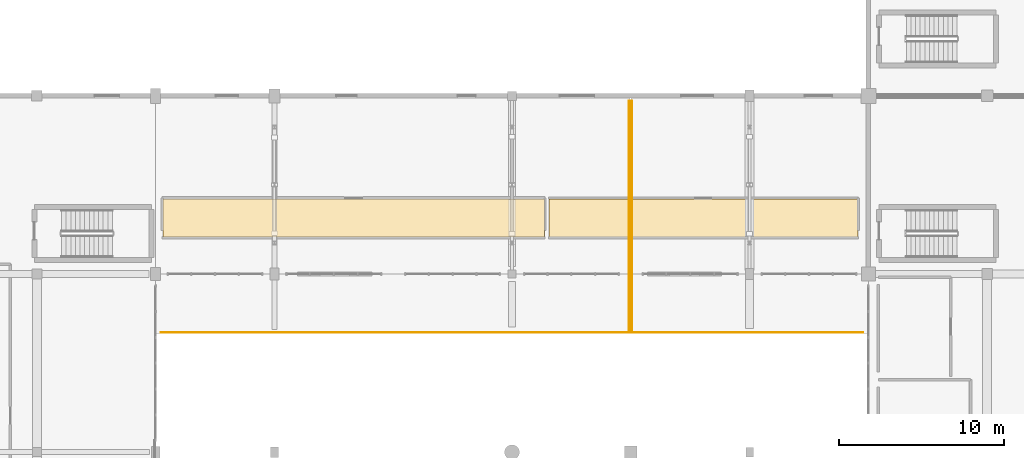
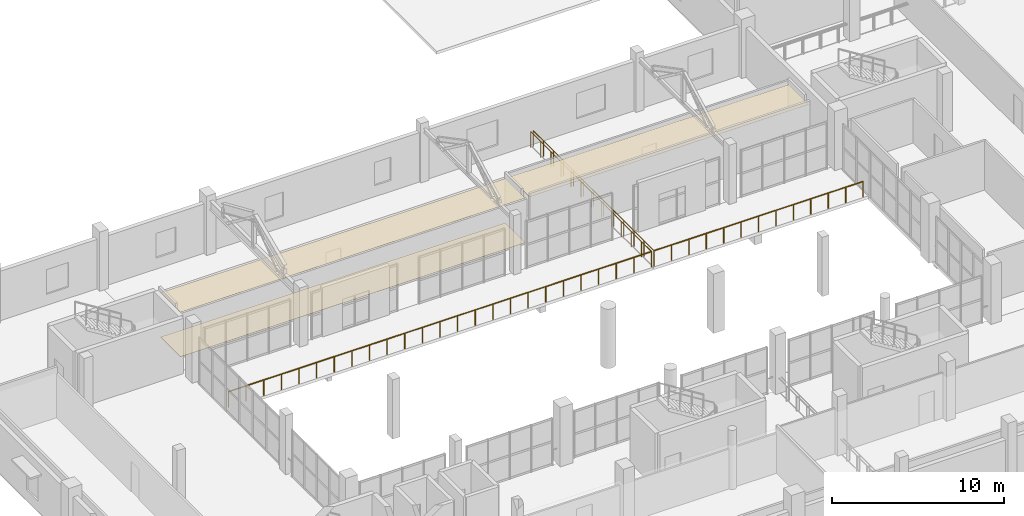
# One storey, part 87 of 92: 4 railings, 3 coverings.
"""IFC4 building model written with IfcOpenShell, lengths in metres."""

import ifcopenshell
import ifcopenshell.guid

model = None  # the IFC model being written
_history = None  # IfcOwnerHistory: only IFC2X3 demands one
_inside = {}  # id of a spatial element -> (the spatial element, [elements in it])
_under = {}  # id of a project, library or spatial element -> (it, [spatial elements below it])
_declared = {}  # id of a project -> (the project, [libraries it declares])
_typed = {}  # id of a type object -> (the type object, [elements of that type])
_made_of = {}  # id of a material, layer set ... -> (it, [elements and type objects made of it])


def new_model(schema):
    """Start an empty IFC model of exactly this schema.

    Asked for "IFC4X3", IfcOpenShell would pick the latest addendum, in which some entities
    have other attributes; the version numbers below select the first issue.
    IFC2X3 requires an IfcOwnerHistory on every rooted entity: one is made here for all.
    """
    global model, _history
    if schema == "IFC4X3":
        model = ifcopenshell.file(schema_version=(4, 3, 0, 0))
    else:
        model = ifcopenshell.file(schema=schema)
    _inside.clear()
    _under.clear()
    _declared.clear()
    _typed.clear()
    _made_of.clear()
    _history = None
    if model.schema == "IFC2X3":
        org = make("IfcOrganization", Name="unknown")
        user = make(
            "IfcPersonAndOrganization",
            ThePerson=make("IfcPerson", FamilyName="unknown"),
            TheOrganization=org,
        )
        app = make(
            "IfcApplication",
            ApplicationDeveloper=org,
            Version="unknown",
            ApplicationFullName="unknown",
            ApplicationIdentifier="unknown",
        )
        _history = make(
            "IfcOwnerHistory",
            OwningUser=user,
            OwningApplication=app,
            ChangeAction="ADDED",
            CreationDate=0,
        )
    return model


def make(cls, **values):
    """One entity of the class cls with the attributes given. An attribute that is None is left unset."""
    return model.create_entity(
        cls, **{name: value for name, value in values.items() if value is not None}
    )


def rooted(cls, **values):
    """An entity with a GlobalId (a new one), such as an element, a storey or a relation."""
    return make(cls, GlobalId=ifcopenshell.guid.new(), OwnerHistory=_history, **values)


def si_unit(unit_type, name, prefix=None):
    """IfcSIUnit, for example si_unit("LENGTHUNIT", "METRE", prefix="MILLI")."""
    return make("IfcSIUnit", UnitType=unit_type, Prefix=prefix, Name=name)


def assignment(units):
    """IfcUnitAssignment: the units of a project."""
    return None if units is None else make("IfcUnitAssignment", Units=units)


def point(xyz):
    """IfcCartesianPoint."""
    return None if xyz is None else make("IfcCartesianPoint", Coordinates=xyz)


def direction(xyz):
    """IfcDirection."""
    return None if xyz is None else make("IfcDirection", DirectionRatios=xyz)


def frame(location, z_axis=None, x_axis=None):
    """IfcAxis2Placement3D, a coordinate frame: its origin and axes. An axis left out is left unset."""
    return make(
        "IfcAxis2Placement3D",
        Location=point(location),
        Axis=direction(z_axis),
        RefDirection=direction(x_axis),
    )


def frame_2d(location, x_axis=None):
    """IfcAxis2Placement2D, a coordinate frame in the plane: its origin and x axis."""
    return make(
        "IfcAxis2Placement2D", Location=point(location), RefDirection=direction(x_axis)
    )


def origin():
    """The frame at (0, 0, 0) with its axes left unset."""
    return frame((0.0, 0.0, 0.0))


def origin_2d():
    """The frame at (0, 0) in the plane with its x axis left unset."""
    return frame_2d((0.0, 0.0))


def place(relative_to, where):
    """IfcLocalPlacement: puts the frame where relative to a parent placement (None: the world)."""
    return make(
        "IfcLocalPlacement", PlacementRelTo=relative_to, RelativePlacement=where
    )


def context(
    kind, dimensions, precision=None, world=None, true_north=None, identifier=None
):
    """IfcGeometricRepresentationContext, for example the 3D "Model" context."""
    return make(
        "IfcGeometricRepresentationContext",
        ContextIdentifier=identifier,
        ContextType=kind,
        CoordinateSpaceDimension=dimensions,
        Precision=precision,
        WorldCoordinateSystem=world,
        TrueNorth=true_north,
    )


def subcontext(parent, identifier, kind, view, scale=None):
    """IfcGeometricRepresentationSubContext, for example "Body" below "Model"."""
    return make(
        "IfcGeometricRepresentationSubContext",
        ContextIdentifier=identifier,
        ContextType=kind,
        ParentContext=parent,
        TargetScale=scale,
        TargetView=view,
    )


def project(units=None, contexts=None):
    """IfcProject with its units and contexts."""
    return rooted(
        "IfcProject",
        Name="project",
        RepresentationContexts=contexts,
        UnitsInContext=assignment(units),
    )


def spatial(cls, under=None, at=None, **own):
    """A site, building, storey or space (cls), placed at a placement, below another one or the project."""
    s = rooted(cls, ObjectPlacement=at, **own)
    if under is not None:
        _under.setdefault(under.id(), (under, []))[1].append(s)
    return s


def polyline(points):
    """IfcPolyline through the points."""
    return make("IfcPolyline", Points=[point(p) for p in points])


def profile(cls, at=None, kind="AREA", **sizes):
    """A parametric profile (cls). Its sizes go by their IFC names, for example OverallWidth=200.0."""
    return make(cls, ProfileType=kind, Position=at, **sizes)


def circle(**sizes):
    """IfcCircleProfileDef."""
    return profile("IfcCircleProfileDef", **sizes)


def outline(outer, holes=None, kind="AREA"):
    """IfcArbitraryClosedProfileDef: a profile drawn as a closed curve; with holes, ...WithVoids."""
    if holes is None:
        return make("IfcArbitraryClosedProfileDef", ProfileType=kind, OuterCurve=outer)
    return make(
        "IfcArbitraryProfileDefWithVoids",
        ProfileType=kind,
        OuterCurve=outer,
        InnerCurves=holes,
    )


def extrude(swept, where, along, depth):
    """IfcExtrudedAreaSolid: the profile swept, set in the frame where, extruded along a direction by depth."""
    return make(
        "IfcExtrudedAreaSolid",
        SweptArea=swept,
        Position=where,
        ExtrudedDirection=direction(along),
        Depth=depth,
    )


def shape(context_of_items, identifier, shape_type, items):
    """IfcShapeRepresentation: the items that make up one representation, for example the "Body"."""
    return make(
        "IfcShapeRepresentation",
        ContextOfItems=context_of_items,
        RepresentationIdentifier=identifier,
        RepresentationType=shape_type,
        Items=items,
    )


def material(Name=None, Category=None):
    """IfcMaterial."""
    return make("IfcMaterial", Name=Name, Category=Category)


def layer(
    of_material, thickness, ventilated=None, Name=None, Category=None, Priority=None
):
    """IfcMaterialLayer: one layer of a wall or slab, of a material (None: an air gap)."""
    return make(
        "IfcMaterialLayer",
        Material=of_material,
        LayerThickness=thickness,
        IsVentilated=ventilated,
        Name=Name,
        Category=Category,
        Priority=Priority,
    )


def layer_set(layers, Name=None):
    """IfcMaterialLayerSet."""
    return make("IfcMaterialLayerSet", MaterialLayers=layers, LayerSetName=Name)


def made_of(thing, what):
    """Note that an element or type object is made of a material, layer set ...; save() writes the relation."""
    if what is not None:
        _made_of.setdefault(what.id(), (what, []))[1].append(thing)
    return thing


def type_object(cls, material=None, **own):
    """A type object (cls), such as IfcWallType, which elements share."""
    return made_of(rooted(cls, **own), material)


def element(
    cls,
    number,
    at=None,
    inside=None,
    cuts=None,
    type_object=None,
    material=None,
    context=None,
    identifier="Body",
    shape_type=None,
    held_by="IfcProductDefinitionShape",
    body=None,
    shapes=None,
    **own,
):
    """One element of the class cls, such as IfcWall. Its Tag is "e" and its number.

    at: its placement. inside: the storey or other place that contains it. cuts: it is an
    opening in that element (IfcRelVoidsElement). A single representation is given by context,
    identifier, shape_type and body (its items); several are given by shapes. held_by: the class
    of the entity that holds the representations. save() writes the other relations.
    """
    e = rooted(cls, Tag="e%d" % number, ObjectPlacement=at, **own)
    if body is not None:
        shapes = [shape(context, identifier, shape_type, body)]
    if shapes is not None:
        e.Representation = make(held_by, Representations=shapes)
    if inside is not None:
        _inside.setdefault(inside.id(), (inside, []))[1].append(e)
    if cuts is not None:
        rooted(
            "IfcRelVoidsElement", RelatingBuildingElement=cuts, RelatedOpeningElement=e
        )
    if type_object is not None:
        _typed.setdefault(type_object.id(), (type_object, []))[1].append(e)
    return made_of(e, material)


def aggregate(whole, parts):
    """IfcRelAggregates: a whole, such as a stair, and the parts it consists of."""
    return rooted("IfcRelAggregates", RelatingObject=whole, RelatedObjects=parts)


def save(model, path):
    """Write the relations noted so far, then the file.

    IfcRelAggregates (storeys below a building ...), IfcRelContainedInSpatialStructure (elements
    in a storey), IfcRelDefinesByType, IfcRelAssociatesMaterial and IfcRelDeclares: one each for
    every whole, place, type object, material and project.
    """
    for whole, parts in _under.values():
        aggregate(whole, parts)
    for where, things in _inside.values():
        rooted(
            "IfcRelContainedInSpatialStructure",
            RelatedElements=things,
            RelatingStructure=where,
        )
    for kind, things in _typed.values():
        rooted("IfcRelDefinesByType", RelatedObjects=things, RelatingType=kind)
    for what, things in _made_of.values():
        rooted("IfcRelAssociatesMaterial", RelatedObjects=things, RelatingMaterial=what)
    for by, libraries in _declared.values():
        rooted("IfcRelDeclares", RelatingContext=by, RelatedDefinitions=libraries)
    model.write(path)


model = new_model("IFC4")

# Units and contexts
model_context = context("Model", 3, precision=1e-05, world=origin(), true_north=direction((0.0, 1.0)))
body_context = subcontext(model_context, "Body", "Model", "MODEL_VIEW")
ifc_project = project(units=[si_unit("LENGTHUNIT", "METRE"), si_unit("AREAUNIT", "SQUARE_METRE"), si_unit("VOLUMEUNIT", "CUBIC_METRE"), si_unit("PLANEANGLEUNIT", "RADIAN"), si_unit("MASSUNIT", "GRAM", prefix="KILO")], contexts=[model_context])

# Site, building, storey
site_placement = place(None, origin())
site = spatial("IfcSite", under=ifc_project, at=site_placement, CompositionType="ELEMENT")
building_placement = place(site_placement, origin())
building = spatial("IfcBuilding", under=site, at=building_placement, Name="Solanera Park Tramway Depot", CompositionType="ELEMENT")
storey_placement = place(building_placement, frame((0.0, 0.0, 4.800048828125)))
storey = spatial("IfcBuildingStorey", under=building, at=storey_placement, Name="L01", CompositionType="ELEMENT", Elevation=4.800048828125)

# Coverings
ifc_material_1 = material(Name="Acoustic perforated plasterboard and mineral-fibre ceiling")
ifc_layer_1 = layer(ifc_material_1, 0.02001953125)
ifc_layer_set_1 = layer_set([ifc_layer_1], Name="Acoustic perforated plasterboard and mineral-fibre ceiling")
covering_type_1 = type_object("IfcCoveringType", Name="Acoustic Mineral-Fibre Ceiling 20", PredefinedType="CEILING", material=ifc_layer_set_1)
covering_1_placement = place(storey_placement, frame((0.0, 0.0, 3.14990234375)))
element("IfcCovering", 1, at=covering_1_placement, inside=storey, type_object=covering_type_1, Name="Courtyard View Crew Dining Mess Hall Acoustic Ceiling", PredefinedType="CEILING", context=body_context, shape_type="SweptSolid", body=[
    extrude(outline(polyline([(145.9599609375, 45.43994140625), (122.840087890625, 45.43994140625), (122.840087890625, 47.760009765625), (145.9599609375, 47.760009765625), (145.9599609375, 45.43994140625)])), origin(), (0.0, 0.0, 1.0), 0.02001953125),
])
covering_2_placement = place(storey_placement, frame((0.0, 0.0, 3.14990234375)))
element("IfcCovering", 2, at=covering_2_placement, inside=storey, type_object=covering_type_1, Name="Driver Quiet Rest and Fatigue Recovery Acoustic Ceiling", PredefinedType="CEILING", context=body_context, shape_type="SweptSolid", body=[
    extrude(outline(polyline([(164.9599609375, 45.43994140625), (146.239990234375, 45.43994140625), (146.239990234375, 47.760009765625), (164.9599609375, 47.760009765625), (164.9599609375, 45.43994140625)])), origin(), (0.0, 0.0, 1.0), 0.02001953125),
])

# Railings
ifc_material_2 = material(Name="Powder-coated galvanised steel balustrade", Category="steel")
ifc_layer_2 = layer(ifc_material_2, 0.06005859375)
ifc_layer_set_2 = layer_set([ifc_layer_2], Name="Powder-coated galvanised steel balustrade")
railing_type = type_object("IfcRailingType", Name="Classical Wrought-Style Balustrade 1120", PredefinedType="BALUSTRADE", material=ifc_layer_set_2)
railing_1_placement = place(storey_placement, frame((151.090087890625, 53.679931640625, 0.0)))
element("IfcRailing", 3, at=railing_1_placement, inside=storey, type_object=railing_type, Name="L01 Perimeter Deck Balustrade #001", PredefinedType="BALUSTRADE", context=body_context, shape_type="SweptSolid", body=[
    extrude(circle(Radius=0.02392578125, at=origin_2d()), frame((0.0, 0.0, 1.09619140625), z_axis=(0.0, -1.0, 0.0), x_axis=(1.0, 0.0, 0.0)), (0.0, 0.0, 1.0), 14.02001953125),
    extrude(circle(Radius=0.02099609375, at=origin_2d()), origin(), (0.0, 0.0, 1.0), 1.072021484375),
    extrude(circle(Radius=0.02099609375, at=origin_2d()), frame((0.0, -1.16845703125, 0.0)), (0.0, 0.0, 1.0), 1.072021484375),
    extrude(circle(Radius=0.02099609375, at=origin_2d()), frame((0.0, -2.336669921875, 0.0)), (0.0, 0.0, 1.0), 1.072021484375),
    extrude(circle(Radius=0.02099609375, at=origin_2d()), frame((0.0, -3.5048828125, 0.0)), (0.0, 0.0, 1.0), 1.072021484375),
    extrude(circle(Radius=0.02099609375, at=origin_2d()), frame((0.0, -4.67333984375, 0.0)), (0.0, 0.0, 1.0), 1.072021484375),
    extrude(circle(Radius=0.02099609375, at=origin_2d()), frame((0.0, -5.841796875, 0.0)), (0.0, 0.0, 1.0), 1.072021484375),
    extrude(circle(Radius=0.02099609375, at=origin_2d()), frame((0.0, -7.010009765625, 0.0)), (0.0, 0.0, 1.0), 1.072021484375),
    extrude(circle(Radius=0.02099609375, at=origin_2d()), frame((0.0, -8.17822265625, 0.0)), (0.0, 0.0, 1.0), 1.072021484375),
    extrude(circle(Radius=0.02099609375, at=origin_2d()), frame((0.0, -9.3466796875, 0.0)), (0.0, 0.0, 1.0), 1.072021484375),
    extrude(circle(Radius=0.02099609375, at=origin_2d()), frame((0.0, -10.51513671875, 0.0)), (0.0, 0.0, 1.0), 1.072021484375),
    extrude(circle(Radius=0.02099609375, at=origin_2d()), frame((0.0, -11.683349609375, 0.0)), (0.0, 0.0, 1.0), 1.072021484375),
    extrude(circle(Radius=0.02099609375, at=origin_2d()), frame((0.0, -12.8515625, 0.0)), (0.0, 0.0, 1.0), 1.072021484375),
    extrude(circle(Radius=0.02099609375, at=origin_2d()), frame((0.0, -14.02001953125, 0.0)), (0.0, 0.0, 1.0), 1.072021484375),
])
railing_2_placement = place(storey_placement, frame((151.090087890625, 39.659912109375, 0.0)))
element("IfcRailing", 4, at=railing_2_placement, inside=storey, type_object=railing_type, Name="L01 Perimeter Deck Balustrade #002", PredefinedType="BALUSTRADE", context=body_context, shape_type="SweptSolid", body=[
    extrude(circle(Radius=0.02392578125, at=origin_2d()), frame((0.0, 0.0, 1.09619140625), z_axis=(-1.0, 0.0, 0.0), x_axis=(0.0, -1.0, 0.0)), (0.0, 0.0, 1.0), 28.3701171875),
    extrude(circle(Radius=0.02099609375, at=origin_2d()), origin(), (0.0, 0.0, 1.0), 1.072021484375),
    extrude(circle(Radius=0.02099609375, at=origin_2d()), frame((-1.18212890625, 0.0, 0.0)), (0.0, 0.0, 1.0), 1.072021484375),
    extrude(circle(Radius=0.02099609375, at=origin_2d()), frame((-2.3642578125, 0.0, 0.0)), (0.0, 0.0, 1.0), 1.072021484375),
    extrude(circle(Radius=0.02099609375, at=origin_2d()), frame((-3.54638671875, 0.0, 0.0)), (0.0, 0.0, 1.0), 1.072021484375),
    extrude(circle(Radius=0.02099609375, at=origin_2d()), frame((-4.728271484375, 0.0, 0.0)), (0.0, 0.0, 1.0), 1.072021484375),
    extrude(circle(Radius=0.02099609375, at=origin_2d()), frame((-5.910400390625, 0.0, 0.0)), (0.0, 0.0, 1.0), 1.072021484375),
    extrude(circle(Radius=0.02099609375, at=origin_2d()), frame((-7.092529296875, 0.0, 0.0)), (0.0, 0.0, 1.0), 1.072021484375),
    extrude(circle(Radius=0.02099609375, at=origin_2d()), frame((-8.274658203125, 0.0, 0.0)), (0.0, 0.0, 1.0), 1.072021484375),
    extrude(circle(Radius=0.02099609375, at=origin_2d()), frame((-9.456787109375, 0.0, 0.0)), (0.0, 0.0, 1.0), 1.072021484375),
    extrude(circle(Radius=0.02099609375, at=origin_2d()), frame((-10.638671875, 0.0, 0.0)), (0.0, 0.0, 1.0), 1.072021484375),
    extrude(circle(Radius=0.02099609375, at=origin_2d()), frame((-11.82080078125, 0.0, 0.0)), (0.0, 0.0, 1.0), 1.072021484375),
    extrude(circle(Radius=0.02099609375, at=origin_2d()), frame((-13.0029296875, 0.0, 0.0)), (0.0, 0.0, 1.0), 1.072021484375),
    extrude(circle(Radius=0.02099609375, at=origin_2d()), frame((-14.18505859375, 0.0, 0.0)), (0.0, 0.0, 1.0), 1.072021484375),
    extrude(circle(Radius=0.02099609375, at=origin_2d()), frame((-15.3671875, 0.0, 0.0)), (0.0, 0.0, 1.0), 1.072021484375),
    extrude(circle(Radius=0.02099609375, at=origin_2d()), frame((-16.54931640625, 0.0, 0.0)), (0.0, 0.0, 1.0), 1.072021484375),
    extrude(circle(Radius=0.02099609375, at=origin_2d()), frame((-17.7314453125, 0.0, 0.0)), (0.0, 0.0, 1.0), 1.072021484375),
    extrude(circle(Radius=0.02099609375, at=origin_2d()), frame((-18.913330078125, 0.0, 0.0)), (0.0, 0.0, 1.0), 1.072021484375),
    extrude(circle(Radius=0.02099609375, at=origin_2d()), frame((-20.095458984375, 0.0, 0.0)), (0.0, 0.0, 1.0), 1.072021484375),
    extrude(circle(Radius=0.02099609375, at=origin_2d()), frame((-21.277587890625, 0.0, 0.0)), (0.0, 0.0, 1.0), 1.072021484375),
    extrude(circle(Radius=0.02099609375, at=origin_2d()), frame((-22.459716796875, 0.0, 0.0)), (0.0, 0.0, 1.0), 1.072021484375),
    extrude(circle(Radius=0.02099609375, at=origin_2d()), frame((-23.641845703125, 0.0, 0.0)), (0.0, 0.0, 1.0), 1.072021484375),
    extrude(circle(Radius=0.02099609375, at=origin_2d()), frame((-24.82373046875, 0.0, 0.0)), (0.0, 0.0, 1.0), 1.072021484375),
    extrude(circle(Radius=0.02099609375, at=origin_2d()), frame((-26.005859375, 0.0, 0.0)), (0.0, 0.0, 1.0), 1.072021484375),
    extrude(circle(Radius=0.02099609375, at=origin_2d()), frame((-27.18798828125, 0.0, 0.0)), (0.0, 0.0, 1.0), 1.072021484375),
    extrude(circle(Radius=0.02099609375, at=origin_2d()), frame((-28.3701171875, 0.0, 0.0)), (0.0, 0.0, 1.0), 1.072021484375),
])
railing_3_placement = place(storey_placement, frame((151.260009765625, 39.659912109375, 0.0)))
element("IfcRailing", 5, at=railing_3_placement, inside=storey, type_object=railing_type, Name="L01 Perimeter Deck Balustrade #014", PredefinedType="BALUSTRADE", context=body_context, shape_type="SweptSolid", body=[
    extrude(circle(Radius=0.02392578125, at=origin_2d()), frame((0.0, 0.0, 1.09619140625), z_axis=(0.0, 1.0, 0.0), x_axis=(-1.0, 0.0, 0.0)), (0.0, 0.0, 1.0), 14.02001953125),
    extrude(circle(Radius=0.02099609375, at=origin_2d()), origin(), (0.0, 0.0, 1.0), 1.072021484375),
    extrude(circle(Radius=0.02099609375, at=origin_2d()), frame((0.0, 1.16845703125, 0.0)), (0.0, 0.0, 1.0), 1.072021484375),
    extrude(circle(Radius=0.02099609375, at=origin_2d()), frame((0.0, 2.336669921875, 0.0)), (0.0, 0.0, 1.0), 1.072021484375),
    extrude(circle(Radius=0.02099609375, at=origin_2d()), frame((0.0, 3.5048828125, 0.0)), (0.0, 0.0, 1.0), 1.072021484375),
    extrude(circle(Radius=0.02099609375, at=origin_2d()), frame((0.0, 4.67333984375, 0.0)), (0.0, 0.0, 1.0), 1.072021484375),
    extrude(circle(Radius=0.02099609375, at=origin_2d()), frame((0.0, 5.841796875, 0.0)), (0.0, 0.0, 1.0), 1.072021484375),
    extrude(circle(Radius=0.02099609375, at=origin_2d()), frame((0.0, 7.010009765625, 0.0)), (0.0, 0.0, 1.0), 1.072021484375),
    extrude(circle(Radius=0.02099609375, at=origin_2d()), frame((0.0, 8.17822265625, 0.0)), (0.0, 0.0, 1.0), 1.072021484375),
    extrude(circle(Radius=0.02099609375, at=origin_2d()), frame((0.0, 9.3466796875, 0.0)), (0.0, 0.0, 1.0), 1.072021484375),
    extrude(circle(Radius=0.02099609375, at=origin_2d()), frame((0.0, 10.51513671875, 0.0)), (0.0, 0.0, 1.0), 1.072021484375),
    extrude(circle(Radius=0.02099609375, at=origin_2d()), frame((0.0, 11.683349609375, 0.0)), (0.0, 0.0, 1.0), 1.072021484375),
    extrude(circle(Radius=0.02099609375, at=origin_2d()), frame((0.0, 12.8515625, 0.0)), (0.0, 0.0, 1.0), 1.072021484375),
    extrude(circle(Radius=0.02099609375, at=origin_2d()), frame((0.0, 14.02001953125, 0.0)), (0.0, 0.0, 1.0), 1.072021484375),
])
railing_4_placement = place(storey_placement, frame((165.280029296875, 39.659912109375, 0.0)))
element("IfcRailing", 6, at=railing_4_placement, inside=storey, type_object=railing_type, Name="L01 Perimeter Deck Balustrade #030", PredefinedType="BALUSTRADE", context=body_context, shape_type="SweptSolid", body=[
    extrude(circle(Radius=0.02392578125, at=origin_2d()), frame((0.0, 0.0, 1.09619140625), z_axis=(-1.0, 0.0, 0.0), x_axis=(0.0, -1.0, 0.0)), (0.0, 0.0, 1.0), 14.02001953125),
    extrude(circle(Radius=0.02099609375, at=origin_2d()), origin(), (0.0, 0.0, 1.0), 1.072021484375),
    extrude(circle(Radius=0.02099609375, at=origin_2d()), frame((-1.16845703125, 0.0, 0.0)), (0.0, 0.0, 1.0), 1.072021484375),
    extrude(circle(Radius=0.02099609375, at=origin_2d()), frame((-2.336669921875, 0.0, 0.0)), (0.0, 0.0, 1.0), 1.072021484375),
    extrude(circle(Radius=0.02099609375, at=origin_2d()), frame((-3.5048828125, 0.0, 0.0)), (0.0, 0.0, 1.0), 1.072021484375),
    extrude(circle(Radius=0.02099609375, at=origin_2d()), frame((-4.67333984375, 0.0, 0.0)), (0.0, 0.0, 1.0), 1.072021484375),
    extrude(circle(Radius=0.02099609375, at=origin_2d()), frame((-5.841796875, 0.0, 0.0)), (0.0, 0.0, 1.0), 1.072021484375),
    extrude(circle(Radius=0.02099609375, at=origin_2d()), frame((-7.010009765625, 0.0, 0.0)), (0.0, 0.0, 1.0), 1.072021484375),
    extrude(circle(Radius=0.02099609375, at=origin_2d()), frame((-8.17822265625, 0.0, 0.0)), (0.0, 0.0, 1.0), 1.072021484375),
    extrude(circle(Radius=0.02099609375, at=origin_2d()), frame((-9.3466796875, 0.0, 0.0)), (0.0, 0.0, 1.0), 1.072021484375),
    extrude(circle(Radius=0.02099609375, at=origin_2d()), frame((-10.51513671875, 0.0, 0.0)), (0.0, 0.0, 1.0), 1.072021484375),
    extrude(circle(Radius=0.02099609375, at=origin_2d()), frame((-11.683349609375, 0.0, 0.0)), (0.0, 0.0, 1.0), 1.072021484375),
    extrude(circle(Radius=0.02099609375, at=origin_2d()), frame((-12.8515625, 0.0, 0.0)), (0.0, 0.0, 1.0), 1.072021484375),
    extrude(circle(Radius=0.02099609375, at=origin_2d()), frame((-14.02001953125, 0.0, 0.0)), (0.0, 0.0, 1.0), 1.072021484375),
])

# Covering
ifc_material_3 = material(Name="Vitrified terracotta quarry floor tile", Category="masonry")
ifc_layer_3 = layer(ifc_material_3, 0.01806640625)
ifc_layer_set_3 = layer_set([ifc_layer_3], Name="Vitrified terracotta quarry floor tile")
covering_type_2 = type_object("IfcCoveringType", Name="Terracotta Quarry Tile Flooring 18", PredefinedType="FLOORING", material=ifc_layer_set_3)
covering_3_placement = place(storey_placement, origin())
element("IfcCovering", 7, at=covering_3_placement, inside=storey, type_object=covering_type_2, Name="Courtyard View Crew Dining Mess Hall Floor Finish", PredefinedType="FLOORING", context=body_context, shape_type="SweptSolid", body=[
    extrude(outline(polyline([(145.9599609375, 45.43994140625), (122.840087890625, 45.43994140625), (122.840087890625, 47.760009765625), (145.9599609375, 47.760009765625), (145.9599609375, 45.43994140625)])), origin(), (0.0, 0.0, 1.0), 0.01806640625),
])

save(model, "model.ifc")
